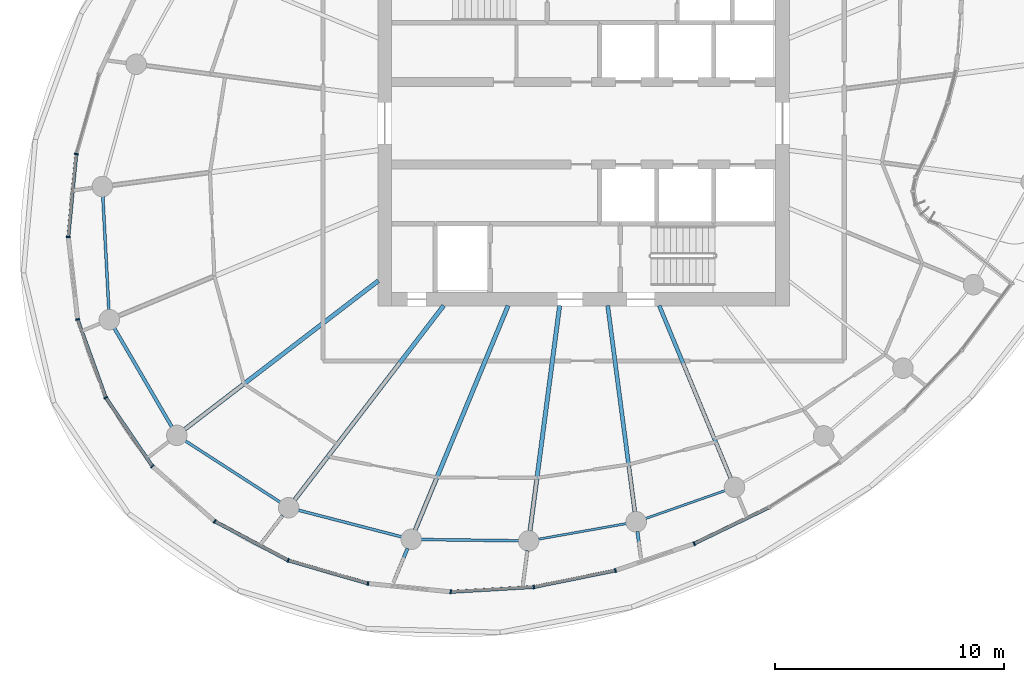
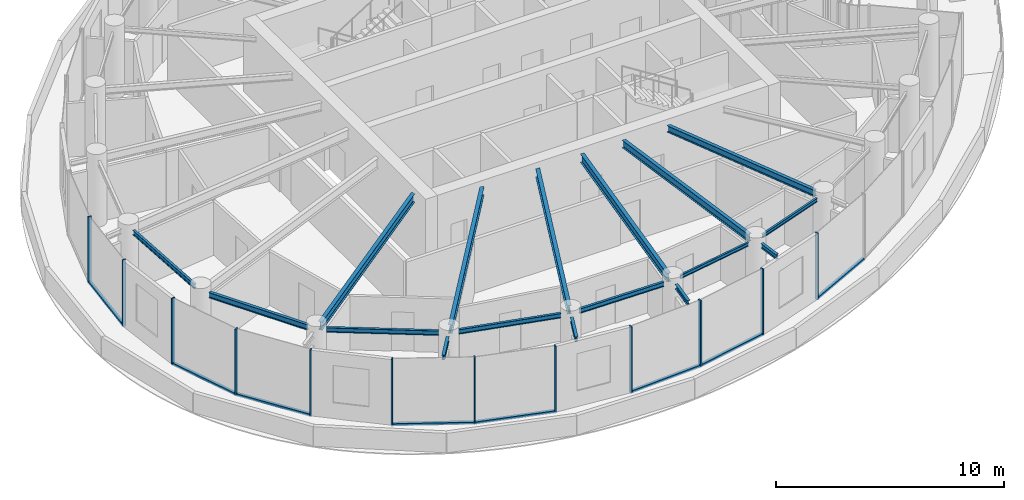
# One storey, part 2 of 19: 20 members, 17 beams, 3 elements without a shape of their own.
"""IFC4 building model written with IfcOpenShell, lengths in metres."""

from ifc_helpers import new_model, si_unit, direction, frame, origin, origin_2d, place, context, subcontext, project, spatial, rectangle, i_section, extrude, source, transform, mapped, material, layer, layer_set, material_profile, profile_set, type_object, element, aggregate, save


model = new_model("IFC4")

# Units and contexts
model_context = context("Model", 3, precision=1e-05, world=origin(), true_north=direction((0.0, 1.0)))
body_context = subcontext(model_context, "Body", "Model", "MODEL_VIEW")
ifc_project = project(units=[si_unit("LENGTHUNIT", "METRE"), si_unit("AREAUNIT", "SQUARE_METRE"), si_unit("VOLUMEUNIT", "CUBIC_METRE"), si_unit("PLANEANGLEUNIT", "RADIAN"), si_unit("MASSUNIT", "GRAM", prefix="KILO")], contexts=[model_context])

# Site, building, storey
site_placement = place(None, origin())
site = spatial("IfcSite", under=ifc_project, at=site_placement, CompositionType="ELEMENT")
building_placement = place(site_placement, origin())
building = spatial("IfcBuilding", under=site, at=building_placement, Name="Spindrift Exchange Tower", CompositionType="ELEMENT")
storey_placement = place(building_placement, frame((0.0, 0.0, 183.800048828125)))
storey = spatial("IfcBuildingStorey", under=building, at=storey_placement, Name="L44", CompositionType="ELEMENT", Elevation=183.800048828125)

# Beams
ifc_material_1 = material(Name="Steel Grade 300", Category="steel")
ifc_material_profile_1 = material_profile(ifc_material_1, i_section(OverallWidth=0.14599609375, OverallDepth=0.251953125, WebThickness=0.006103515625, FlangeThickness=0.008544921875, FilletRadius=0.011962890625, at=origin_2d()), Name="250UB31.4")
ifc_profile_set_1 = profile_set([ifc_material_profile_1], Name="Steel Grade 300")
beam_type_1 = type_object("IfcBeamType", Name="Cantilever Beam 250UB31.4 Steel Grade 300", PredefinedType="BEAM", material=ifc_profile_set_1)
shared_shape_1 = source(origin(), body_context, "Body", "SweptSolid", [
    extrude(i_section(OverallWidth=0.14599609375, OverallDepth=0.251953125, WebThickness=0.006103515625, FlangeThickness=0.008544921875, FilletRadius=0.011962890625, at=origin_2d()), origin(), (0.0, 0.0, 1.0), 1.1201171875),
])
beam_1_placement = place(storey_placement, frame((54.3525390625, 30.131103515625, 3.453857421875), z_axis=(0.130550355306, -0.991441679944, 0.0), x_axis=(0.991441679944, 0.130550355306, 0.0)))
element("IfcBeam", 1, at=beam_1_placement, inside=storey, type_object=beam_type_1, Name="L44 cantilever beam R19T", PredefinedType="BEAM", context=body_context, shape_type="MappedRepresentation", body=[
    mapped(shared_shape_1, transform((0.0, 0.0, 0.0), scale=1.0)),
])
ifc_material_profile_2 = material_profile(ifc_material_1, i_section(OverallWidth=0.18994140625, OverallDepth=0.4541015625, WebThickness=0.008544921875, FlangeThickness=0.0126953125, FilletRadius=0.013916015625, at=origin_2d()), Name="460UB67.1")
ifc_profile_set_2 = profile_set([ifc_material_profile_2], Name="Steel Grade 300")
beam_type_2 = type_object("IfcBeamType", Name="Floor Beam 460UB67.1 Steel Grade 300", PredefinedType="BEAM", material=ifc_profile_set_2)
shared_shape_2 = source(origin(), body_context, "Body", "SweptSolid", [
    extrude(i_section(OverallWidth=0.18994140625, OverallDepth=0.4541015625, WebThickness=0.008544921875, FlangeThickness=0.0126953125, FilletRadius=0.013916015625, at=origin_2d()), origin(), (0.0, 0.0, 1.0), 10.684814453125),
])
beam_2_placement = place(storey_placement, frame((43.015869140625, 41.106201171875, 3.35302734375), z_axis=(-0.793357316898, -0.608756246559, 0.0), x_axis=(0.608756246559, -0.793357316898, 0.0)))
element("IfcBeam", 2, at=beam_2_placement, inside=storey, type_object=beam_type_2, Name="L44 radial beam R15A", PredefinedType="BEAM", context=body_context, shape_type="MappedRepresentation", body=[
    mapped(shared_shape_2, transform((0.0, 0.0, 0.0), scale=1.0)),
])
shared_shape_3 = source(origin(), body_context, "Body", "SweptSolid", [
    extrude(i_section(OverallWidth=0.18994140625, OverallDepth=0.4541015625, WebThickness=0.008544921875, FlangeThickness=0.0126953125, FilletRadius=0.013916015625, at=origin_2d()), origin(), (0.0, 0.0, 1.0), 10.711181640625),
])
beam_3_placement = place(storey_placement, frame((45.87353515625, 40.015869140625, 3.35302734375), z_axis=(-0.608756401092, -0.793357198322, 0.0), x_axis=(0.793357198322, -0.608756401092, 0.0)))
element("IfcBeam", 3, at=beam_3_placement, inside=storey, type_object=beam_type_2, Name="L44 radial beam R16A", PredefinedType="BEAM", context=body_context, shape_type="MappedRepresentation", body=[
    mapped(shared_shape_3, transform((0.0, 0.0, 0.0), scale=1.0)),
])
shared_shape_4 = source(origin(), body_context, "Body", "SweptSolid", [
    extrude(i_section(OverallWidth=0.18994140625, OverallDepth=0.4541015625, WebThickness=0.008544921875, FlangeThickness=0.0126953125, FilletRadius=0.013916015625, at=origin_2d()), origin(), (0.0, 0.0, 1.0), 10.64111328125),
])
beam_4_placement = place(storey_placement, frame((48.69384765625, 40.0185546875, 3.35302734375), z_axis=(-0.382672627597, -0.923884007919, 0.0), x_axis=(0.923884007919, -0.382672627597, 0.0)))
element("IfcBeam", 4, at=beam_4_placement, inside=storey, type_object=beam_type_2, Name="L44 radial beam R17A", PredefinedType="BEAM", context=body_context, shape_type="MappedRepresentation", body=[
    mapped(shared_shape_4, transform((0.0, 0.0, 0.0), scale=1.0)),
])
shared_shape_5 = source(origin(), body_context, "Body", "SweptSolid", [
    extrude(i_section(OverallWidth=0.18994140625, OverallDepth=0.4541015625, WebThickness=0.008544921875, FlangeThickness=0.0126953125, FilletRadius=0.013916015625, at=origin_2d()), origin(), (0.0, 0.0, 1.0), 9.95703125),
])
beam_5_placement = place(storey_placement, frame((50.949462890625, 40.019775390625, 3.35302734375), z_axis=(-0.130541406635, -0.991442858239, 0.0), x_axis=(0.991442858239, -0.130541406635, 0.0)))
element("IfcBeam", 5, at=beam_5_placement, inside=storey, type_object=beam_type_2, Name="L44 radial beam R18A", PredefinedType="BEAM", context=body_context, shape_type="MappedRepresentation", body=[
    mapped(shared_shape_5, transform((0.0, 0.0, 0.0), scale=1.0)),
])
shared_shape_6 = source(origin(), body_context, "Body", "SweptSolid", [
    extrude(i_section(OverallWidth=0.14599609375, OverallDepth=0.251953125, WebThickness=0.006103515625, FlangeThickness=0.008544921875, FilletRadius=0.011962890625, at=origin_2d()), origin(), (0.0, 0.0, 1.0), 1.394287109375),
])
beam_6_placement = place(storey_placement, frame((49.53759765625, 29.29541015625, 3.453857421875), z_axis=(-0.130626633366, -0.99143163287, 0.0), x_axis=(0.99143163287, -0.130626633366, 0.0)))
element("IfcBeam", 6, at=beam_6_placement, inside=storey, type_object=beam_type_1, Name="L44 cantilever beam R18T", PredefinedType="BEAM", context=body_context, shape_type="MappedRepresentation", body=[
    mapped(shared_shape_6, transform((0.0, 0.0, 0.0), scale=1.0)),
])
ifc_material_profile_3 = material_profile(ifc_material_1, i_section(OverallWidth=0.177978515625, OverallDepth=0.403076171875, WebThickness=0.007568359375, FlangeThickness=0.010986328125, FilletRadius=0.013916015625, at=origin_2d()), Name="410UB53.7")
ifc_profile_set_3 = profile_set([ifc_material_profile_3], Name="Steel Grade 300")
beam_type_3 = type_object("IfcBeamType", Name="Floor Beam 410UB53.7 Steel Grade 300", PredefinedType="BEAM", material=ifc_profile_set_3)
shared_shape_7 = source(origin(), body_context, "Body", "SweptSolid", [
    extrude(i_section(OverallWidth=0.177978515625, OverallDepth=0.403076171875, WebThickness=0.007568359375, FlangeThickness=0.010986328125, FilletRadius=0.013916015625, at=origin_2d()), origin(), (0.0, 0.0, 1.0), 9.11376953125),
])
beam_7_placement = place(storey_placement, frame((53.050537109375, 40.019775390625, 3.37841796875), z_axis=(0.130536972606, -0.991443442049, 0.0), x_axis=(0.991443442049, 0.130536972606, 0.0)))
element("IfcBeam", 7, at=beam_7_placement, inside=storey, type_object=beam_type_3, Name="L44 radial beam R19A", PredefinedType="BEAM", context=body_context, shape_type="MappedRepresentation", body=[
    mapped(shared_shape_7, transform((0.0, 0.0, 0.0), scale=1.0)),
])
ifc_material_profile_4 = material_profile(ifc_material_1, i_section(OverallWidth=0.1708984375, OverallDepth=0.35205078125, WebThickness=0.0068359375, FlangeThickness=0.009765625, FilletRadius=0.013916015625, at=origin_2d()), Name="360UB44.7")
ifc_profile_set_4 = profile_set([ifc_material_profile_4], Name="Steel Grade 300")
beam_type_4 = type_object("IfcBeamType", Name="Floor Beam 360UB44.7 Steel Grade 300", PredefinedType="BEAM", material=ifc_profile_set_4)
shared_shape_8 = source(origin(), body_context, "Body", "SweptSolid", [
    extrude(i_section(OverallWidth=0.1708984375, OverallDepth=0.35205078125, WebThickness=0.0068359375, FlangeThickness=0.009765625, FilletRadius=0.013916015625, at=origin_2d()), origin(), (0.0, 0.0, 1.0), 8.1748046875),
])
beam_8_placement = place(storey_placement, frame((55.30615234375, 40.0185546875, 3.404052734375), z_axis=(0.382655117626, -0.923891260352, 0.0), x_axis=(0.923891260352, 0.382655117626, 0.0)))
element("IfcBeam", 8, at=beam_8_placement, inside=storey, type_object=beam_type_4, Name="L44 radial beam R20A", PredefinedType="BEAM", context=body_context, shape_type="MappedRepresentation", body=[
    mapped(shared_shape_8, transform((0.0, 0.0, 0.0), scale=1.0)),
])
shared_shape_9 = source(origin(), body_context, "Body", "SweptSolid", [
    extrude(i_section(OverallWidth=0.14599609375, OverallDepth=0.251953125, WebThickness=0.006103515625, FlangeThickness=0.008544921875, FilletRadius=0.011962890625, at=origin_2d()), origin(), (0.0, 0.0, 1.0), 1.475830078125),
])
beam_9_placement = place(storey_placement, frame((38.829345703125, 30.835693359375, 3.453857421875), z_axis=(-0.608750992772, -0.793361348188, 0.0), x_axis=(0.793361348188, -0.608750992772, 0.0)))
element("IfcBeam", 9, at=beam_9_placement, inside=storey, type_object=beam_type_1, Name="L44 cantilever beam R16T", PredefinedType="BEAM", context=body_context, shape_type="MappedRepresentation", body=[
    mapped(shared_shape_9, transform((0.0, 0.0, 0.0), scale=1.0)),
])
shared_shape_10 = source(origin(), body_context, "Body", "SweptSolid", [
    extrude(i_section(OverallWidth=0.14599609375, OverallDepth=0.251953125, WebThickness=0.006103515625, FlangeThickness=0.008544921875, FilletRadius=0.011962890625, at=origin_2d()), origin(), (0.0, 0.0, 1.0), 1.564697265625),
])
beam_10_placement = place(storey_placement, frame((44.292724609375, 29.39306640625, 3.453857421875), z_axis=(-0.38260904519, -0.92391034118, 0.0), x_axis=(0.92391034118, -0.38260904519, 0.0)))
element("IfcBeam", 10, at=beam_10_placement, inside=storey, type_object=beam_type_1, Name="L44 cantilever beam R17T", PredefinedType="BEAM", context=body_context, shape_type="MappedRepresentation", body=[
    mapped(shared_shape_10, transform((0.0, 0.0, 0.0), scale=1.0)),
])
ifc_material_profile_5 = material_profile(ifc_material_1, i_section(OverallWidth=0.1240234375, OverallDepth=0.248046875, WebThickness=0.0048828125, FlangeThickness=0.008056640625, FilletRadius=0.011962890625, at=origin_2d()), Name="250UB25.7")
ifc_profile_set_5 = profile_set([ifc_material_profile_5], Name="Steel Grade 300")
beam_type_5 = type_object("IfcBeamType", Name="Edge Beam 250UB25.7 Steel Grade 300", PredefinedType="SPANDREL", material=ifc_profile_set_5)
shared_shape_11 = source(origin(), body_context, "Body", "SweptSolid", [
    extrude(i_section(OverallWidth=0.1240234375, OverallDepth=0.248046875, WebThickness=0.0048828125, FlangeThickness=0.008056640625, FilletRadius=0.011962890625, at=origin_2d()), origin(), (0.0, 0.0, 1.0), 4.971435546875),
])
beam_11_placement = place(storey_placement, frame((30.96044921875, 44.797607421875, 3.4560546875), z_axis=(0.053038255124, -0.998592481192, 0.0), x_axis=(0.998592481192, 0.053038255124, 0.0)))
element("IfcBeam", 11, at=beam_11_placement, inside=storey, type_object=beam_type_5, Name="L44 edge beam E13", PredefinedType="SPANDREL", context=body_context, shape_type="MappedRepresentation", body=[
    mapped(shared_shape_11, transform((0.0, 0.0, 0.0), scale=1.0)),
])
ifc_material_profile_6 = material_profile(ifc_material_1, i_section(OverallWidth=0.14892578125, OverallDepth=0.298095703125, WebThickness=0.005615234375, FlangeThickness=0.008056640625, FilletRadius=0.012939453125, at=origin_2d()), Name="310UB32.0")
ifc_profile_set_6 = profile_set([ifc_material_profile_6], Name="Steel Grade 300")
beam_type_6 = type_object("IfcBeamType", Name="Edge Beam 310UB32.0 Steel Grade 300", PredefinedType="SPANDREL", material=ifc_profile_set_6)
shared_shape_12 = source(origin(), body_context, "Body", "SweptSolid", [
    extrude(i_section(OverallWidth=0.14892578125, OverallDepth=0.298095703125, WebThickness=0.005615234375, FlangeThickness=0.008056640625, FilletRadius=0.012939453125, at=origin_2d()), origin(), (0.0, 0.0, 1.0), 5.0009765625),
])
beam_12_placement = place(storey_placement, frame((31.46337890625, 39.0322265625, 3.430908203125), z_axis=(0.503512812094, -0.863987759205, 0.0), x_axis=(0.863987759205, 0.503512812094, 0.0)))
element("IfcBeam", 12, at=beam_12_placement, inside=storey, type_object=beam_type_6, Name="L44 edge beam E14", PredefinedType="SPANDREL", context=body_context, shape_type="MappedRepresentation", body=[
    mapped(shared_shape_12, transform((0.0, 0.0, 0.0), scale=1.0)),
])
shared_shape_13 = source(origin(), body_context, "Body", "SweptSolid", [
    extrude(i_section(OverallWidth=0.1240234375, OverallDepth=0.248046875, WebThickness=0.0048828125, FlangeThickness=0.008056640625, FilletRadius=0.011962890625, at=origin_2d()), origin(), (0.0, 0.0, 1.0), 4.966552734375),
])
beam_13_placement = place(storey_placement, frame((34.55908203125, 34.106689453125, 3.4560546875), z_axis=(0.839802198579, -0.54289250065, 0.0), x_axis=(0.54289250065, 0.839802198579, 0.0)))
element("IfcBeam", 13, at=beam_13_placement, inside=storey, type_object=beam_type_5, Name="L44 edge beam E15", PredefinedType="SPANDREL", context=body_context, shape_type="MappedRepresentation", body=[
    mapped(shared_shape_13, transform((0.0, 0.0, 0.0), scale=1.0)),
])
shared_shape_14 = source(origin(), body_context, "Body", "SweptSolid", [
    extrude(i_section(OverallWidth=0.1240234375, OverallDepth=0.248046875, WebThickness=0.0048828125, FlangeThickness=0.008056640625, FilletRadius=0.011962890625, at=origin_2d()), origin(), (0.0, 0.0, 1.0), 4.682373046875),
])
beam_14_placement = place(storey_placement, frame((39.507568359375, 31.0693359375, 3.4560546875), z_axis=(0.968201586176, -0.250171318352, 0.0), x_axis=(0.250171318352, 0.968201586176, 0.0)))
element("IfcBeam", 14, at=beam_14_placement, inside=storey, type_object=beam_type_5, Name="L44 edge beam E16", PredefinedType="SPANDREL", context=body_context, shape_type="MappedRepresentation", body=[
    mapped(shared_shape_14, transform((0.0, 0.0, 0.0), scale=1.0)),
])
shared_shape_15 = source(origin(), body_context, "Body", "SweptSolid", [
    extrude(i_section(OverallWidth=0.1240234375, OverallDepth=0.248046875, WebThickness=0.0048828125, FlangeThickness=0.008056640625, FilletRadius=0.011962890625, at=origin_2d()), origin(), (0.0, 0.0, 1.0), 4.27685546875),
])
beam_15_placement = place(storey_placement, frame((44.88720703125, 29.78466796875, 3.4560546875), z_axis=(0.999910013527, -0.013415097807, 0.0), x_axis=(0.013415097807, 0.999910013527, 0.0)))
element("IfcBeam", 15, at=beam_15_placement, inside=storey, type_object=beam_type_5, Name="L44 edge beam E17", PredefinedType="SPANDREL", context=body_context, shape_type="MappedRepresentation", body=[
    mapped(shared_shape_15, transform((0.0, 0.0, 0.0), scale=1.0)),
])
ifc_material_profile_7 = material_profile(ifc_material_1, i_section(OverallWidth=0.09912109375, OverallDepth=0.197998046875, WebThickness=0.00439453125, FlangeThickness=0.007080078125, FilletRadius=0.010986328125, at=origin_2d()), Name="200UB18.2")
ifc_profile_set_7 = profile_set([ifc_material_profile_7], Name="Steel Grade 300")
beam_type_7 = type_object("IfcBeamType", Name="Edge Beam 200UB18.2 Steel Grade 300", PredefinedType="SPANDREL", material=ifc_profile_set_7)
shared_shape_16 = source(origin(), body_context, "Body", "SweptSolid", [
    extrude(i_section(OverallWidth=0.09912109375, OverallDepth=0.197998046875, WebThickness=0.00439453125, FlangeThickness=0.007080078125, FilletRadius=0.010986328125, at=origin_2d()), origin(), (0.0, 0.0, 1.0), 3.916259765625),
])
beam_16_placement = place(storey_placement, frame((50.01708984375, 29.796875, 3.48095703125), z_axis=(0.984558687682, 0.175054821441, 0.0), x_axis=(-0.175054821441, 0.984558687682, 0.0)))
element("IfcBeam", 16, at=beam_16_placement, inside=storey, type_object=beam_type_7, Name="L44 edge beam E18", PredefinedType="SPANDREL", context=body_context, shape_type="MappedRepresentation", body=[
    mapped(shared_shape_16, transform((0.0, 0.0, 0.0), scale=1.0)),
])
shared_shape_17 = source(origin(), body_context, "Body", "SweptSolid", [
    extrude(i_section(OverallWidth=0.09912109375, OverallDepth=0.197998046875, WebThickness=0.00439453125, FlangeThickness=0.007080078125, FilletRadius=0.010986328125, at=origin_2d()), origin(), (0.0, 0.0, 1.0), 3.700439453125),
])
beam_17_placement = place(storey_placement, frame((54.701904296875, 30.699951171875, 3.48095703125), z_axis=(0.943515334916, 0.331328858957, 0.0), x_axis=(-0.331328858957, 0.943515334916, 0.0)))
element("IfcBeam", 17, at=beam_17_placement, inside=storey, type_object=beam_type_7, Name="L44 edge beam E19", PredefinedType="SPANDREL", context=body_context, shape_type="MappedRepresentation", body=[
    mapped(shared_shape_17, transform((0.0, 0.0, 0.0), scale=1.0)),
])

# Curtain wall, members
ifc_material_2 = material(Name="Fritted laminated glass with bronze frame", Category="glass")
ifc_layer = layer(ifc_material_2, 0.169921875)
ifc_layer_set = layer_set([ifc_layer], Name="ZONE 4 BRONZE FRITTED WALL")
curtain_wall_type = type_object("IfcCurtainWallType", Name="ZONE 4 BRONZE FRITTED WALL", PredefinedType="NOTDEFINED", material=ifc_layer_set)
curtain_wall_1_placement = place(storey_placement, origin())
curtain_wall_1 = element("IfcCurtainWall", 18, at=curtain_wall_1_placement, inside=storey, type_object=curtain_wall_type, Name="L44 Zone 4 Bronze Fritted Wall run 2", PredefinedType="NOTDEFINED")
ifc_material_3 = material(Name="Bronze anodised aluminium", Category="aluminium")
ifc_material_profile_8 = material_profile(ifc_material_3, rectangle(XDim=0.06494140625, YDim=0.169921875, at=origin_2d()), Name="ZONE 4 BRONZE FRITTED WALL MULLION 65X170")
ifc_profile_set_8 = profile_set([ifc_material_profile_8], Name="Bronze anodised aluminium")
member_type_1 = type_object("IfcMemberType", Name="ZONE 4 BRONZE FRITTED WALL MULLION 65X170", PredefinedType="MULLION", material=ifc_profile_set_8)
shared_shape_18 = source(origin(), body_context, "Body", "SweptSolid", [
    extrude(rectangle(XDim=0.06494140625, YDim=0.169921875, at=origin_2d()), origin(), (0.0, 0.0, 1.0), 3.579833984375),
])
member_1_placement = place(storey_placement, frame((29.798828125, 46.652587890625, 0.0), z_axis=(0.0, 0.0, 1.0), x_axis=(-0.185447734945, -0.982654129185, 0.0)))
member_1 = element("IfcMember", 19, at=member_1_placement, type_object=member_type_1, Name="L44 mullion CW-4.10", PredefinedType="MULLION", context=body_context, shape_type="MappedRepresentation", body=[
    mapped(shared_shape_18, transform((0.0, 0.0, 0.0), scale=1.0)),
])
member_2_placement = place(storey_placement, frame((29.4501953125, 43.0302734375, 0.0), z_axis=(0.0, 0.0, 1.0), x_axis=(0.007899357172, -0.999968799591, 0.0)))
member_2 = element("IfcMember", 20, at=member_2_placement, type_object=member_type_1, Name="L44 mullion CW-4.11", PredefinedType="MULLION", context=body_context, shape_type="MappedRepresentation", body=[
    mapped(shared_shape_18, transform((0.0, 0.0, 0.0), scale=1.0)),
])
member_3_placement = place(storey_placement, frame((29.855712890625, 39.41552734375, 0.0), z_axis=(0.0, 0.0, 1.0), x_axis=(0.226729510192, -0.973957765618, 0.0)))
member_3 = element("IfcMember", 21, at=member_3_placement, type_object=member_type_1, Name="L44 mullion CW-4.12", PredefinedType="MULLION", context=body_context, shape_type="MappedRepresentation", body=[
    mapped(shared_shape_18, transform((0.0, 0.0, 0.0), scale=1.0)),
])

curtain_wall_2_placement = place(storey_placement, origin())
curtain_wall_2 = element("IfcCurtainWall", 22, at=curtain_wall_2_placement, inside=storey, type_object=curtain_wall_type, Name="L44 Zone 4 Bronze Fritted Wall run 3", PredefinedType="NOTDEFINED")
member_4_placement = place(storey_placement, frame((31.087646484375, 35.994873046875, 0.0), z_axis=(0.0, 0.0, 1.0), x_axis=(0.453889160517, -0.891058151843, 0.0)))
member_4 = element("IfcMember", 23, at=member_4_placement, type_object=member_type_1, Name="L44 mullion CW-4.13", PredefinedType="MULLION", context=body_context, shape_type="MappedRepresentation", body=[
    mapped(shared_shape_18, transform((0.0, 0.0, 0.0), scale=1.0)),
])
member_5_placement = place(storey_placement, frame((33.1298828125, 32.98779296875, 0.0), z_axis=(0.0, 0.0, 1.0), x_axis=(0.660915754459, -0.750460102542, 0.0)))
member_5 = element("IfcMember", 24, at=member_5_placement, type_object=member_type_1, Name="L44 mullion CW-4.14", PredefinedType="MULLION", context=body_context, shape_type="MappedRepresentation", body=[
    mapped(shared_shape_18, transform((0.0, 0.0, 0.0), scale=1.0)),
])
member_6_placement = place(storey_placement, frame((35.85546875, 30.581298828125, 0.0), z_axis=(0.0, 0.0, 1.0), x_axis=(0.821731834994, -0.569874364538, 0.0)))
member_6 = element("IfcMember", 25, at=member_6_placement, type_object=member_type_1, Name="L44 mullion CW-4.15", PredefinedType="MULLION", context=body_context, shape_type="MappedRepresentation", body=[
    mapped(shared_shape_18, transform((0.0, 0.0, 0.0), scale=1.0)),
])
member_7_placement = place(storey_placement, frame((39.06591796875, 28.871337890625, 0.0), z_axis=(0.0, 0.0, 1.0), x_axis=(0.926597317681, -0.376055063608, 0.0)))
member_7 = element("IfcMember", 26, at=member_7_placement, type_object=member_type_1, Name="L44 mullion CW-4.16", PredefinedType="MULLION", context=body_context, shape_type="MappedRepresentation", body=[
    mapped(shared_shape_18, transform((0.0, 0.0, 0.0), scale=1.0)),
])
member_8_placement = place(storey_placement, frame((42.5615234375, 27.85986328125, 0.0), z_axis=(0.0, 0.0, 1.0), x_axis=(0.98179843319, -0.189925871289, 0.0)))
member_8 = element("IfcMember", 27, at=member_8_placement, type_object=member_type_1, Name="L44 mullion CW-4.17", PredefinedType="MULLION", context=body_context, shape_type="MappedRepresentation", body=[
    mapped(shared_shape_18, transform((0.0, 0.0, 0.0), scale=1.0)),
])
member_9_placement = place(storey_placement, frame((46.183837890625, 27.494384765625, 0.0), z_axis=(0.0, 0.0, 1.0), x_axis=(0.999775308957, -0.021197443248, 0.0)))
member_9 = element("IfcMember", 28, at=member_9_placement, type_object=member_type_1, Name="L44 mullion CW-4.18", PredefinedType="MULLION", context=body_context, shape_type="MappedRepresentation", body=[
    mapped(shared_shape_18, transform((0.0, 0.0, 0.0), scale=1.0)),
])

curtain_wall_3_placement = place(storey_placement, origin())
curtain_wall_3 = element("IfcCurtainWall", 29, at=curtain_wall_3_placement, inside=storey, type_object=curtain_wall_type, Name="L44 Zone 4 Bronze Fritted Wall run 4", PredefinedType="NOTDEFINED")
member_10_placement = place(storey_placement, frame((49.819091796875, 27.7060546875, 0.0), z_axis=(0.0, 0.0, 1.0), x_axis=(0.991710346442, 0.12849353587, 0.0)))
member_10 = element("IfcMember", 30, at=member_10_placement, type_object=member_type_1, Name="L44 mullion CW-4.19", PredefinedType="MULLION", context=body_context, shape_type="MappedRepresentation", body=[
    mapped(shared_shape_18, transform((0.0, 0.0, 0.0), scale=1.0)),
])
member_11_placement = place(storey_placement, frame((53.388916015625, 28.427978515625, 0.0), z_axis=(0.0, 0.0, 1.0), x_axis=(0.965295452865, 0.261160273929, 0.0)))
member_11 = element("IfcMember", 31, at=member_11_placement, type_object=member_type_1, Name="L44 mullion CW-4.20", PredefinedType="MULLION", context=body_context, shape_type="MappedRepresentation", body=[
    mapped(shared_shape_18, transform((0.0, 0.0, 0.0), scale=1.0)),
])
member_12_placement = place(storey_placement, frame((56.836181640625, 29.6044921875, 0.0), z_axis=(0.0, 0.0, 1.0), x_axis=(0.925065726554, 0.379807058327, 0.0)))
member_12 = element("IfcMember", 32, at=member_12_placement, type_object=member_type_1, Name="L44 mullion CW-4.21", PredefinedType="MULLION", context=body_context, shape_type="MappedRepresentation", body=[
    mapped(shared_shape_18, transform((0.0, 0.0, 0.0), scale=1.0)),
])
ifc_material_profile_9 = material_profile(ifc_material_3, rectangle(XDim=0.14990234375, YDim=0.125, at=origin_2d()), Name="ZONE 4 BRONZE FRITTED WALL TRANSOM 150X125")
ifc_profile_set_9 = profile_set([ifc_material_profile_9], Name="Bronze anodised aluminium")
member_type_2 = type_object("IfcMemberType", Name="ZONE 4 BRONZE FRITTED WALL TRANSOM 150X125", PredefinedType="USERDEFINED", material=ifc_profile_set_9)
shared_shape_19 = source(origin(), body_context, "Body", "SweptSolid", [
    extrude(rectangle(XDim=0.14990234375, YDim=0.125, at=origin_2d()), origin(), (0.0, 0.0, 1.0), 3.577880859375),
])
member_13_placement = place(storey_placement, frame((56.865478515625, 29.61865234375, 0.0625), z_axis=(0.900324889353, 0.435218443557, 0.0), x_axis=(-0.435218443557, 0.900324889353, 0.0)))
member_13 = element("IfcMember", 33, at=member_13_placement, type_object=member_type_2, Name="L44 transom CW-4.21", ObjectType="TRANSOM", PredefinedType="USERDEFINED", context=body_context, shape_type="MappedRepresentation", body=[
    mapped(shared_shape_19, transform((0.0, 0.0, 0.0), scale=1.0)),
])
shared_shape_20 = source(origin(), body_context, "Body", "SweptSolid", [
    extrude(rectangle(XDim=0.14990234375, YDim=0.125, at=origin_2d()), origin(), (0.0, 0.0, 1.0), 3.5771484375),
])
member_14_placement = place(storey_placement, frame((49.85107421875, 27.71240234375, 0.0625), z_axis=(0.980147808937, 0.19826818362, 0.0), x_axis=(-0.19826818362, 0.980147808937, 0.0)))
member_14 = element("IfcMember", 34, at=member_14_placement, type_object=member_type_2, Name="L44 transom CW-4.19", ObjectType="TRANSOM", PredefinedType="USERDEFINED", context=body_context, shape_type="MappedRepresentation", body=[
    mapped(shared_shape_20, transform((0.0, 0.0, 0.0), scale=1.0)),
])
aggregate(curtain_wall_3, [member_10, member_14, member_11, member_12, member_13])

# Member
shared_shape_21 = source(origin(), body_context, "Body", "SweptSolid", [
    extrude(rectangle(XDim=0.14990234375, YDim=0.125, at=origin_2d()), origin(), (0.0, 0.0, 1.0), 3.573974609375),
])
member_15_placement = place(storey_placement, frame((29.795654296875, 46.620361328125, 0.0625), z_axis=(-0.095837359328, -0.995397006504, 0.0), x_axis=(0.995397006504, -0.095837359328, 0.0)))
member_15 = element("IfcMember", 35, at=member_15_placement, type_object=member_type_2, Name="L44 transom CW-4.10", ObjectType="TRANSOM", PredefinedType="USERDEFINED", context=body_context, shape_type="MappedRepresentation", body=[
    mapped(shared_shape_21, transform((0.0, 0.0, 0.0), scale=1.0)),
])

member_16_placement = place(storey_placement, frame((39.09716796875, 28.8623046875, 0.0625), z_axis=(0.960593067845, -0.277958554478, 0.0), x_axis=(0.277958554478, 0.960593067845, 0.0)))
member_16 = element("IfcMember", 36, at=member_16_placement, type_object=member_type_2, Name="L44 transom CW-4.16", ObjectType="TRANSOM", PredefinedType="USERDEFINED", context=body_context, shape_type="MappedRepresentation", body=[
    mapped(shared_shape_21, transform((0.0, 0.0, 0.0), scale=1.0)),
])

shared_shape_22 = source(origin(), body_context, "Body", "SweptSolid", [
    extrude(rectangle(XDim=0.14990234375, YDim=0.125, at=origin_2d()), origin(), (0.0, 0.0, 1.0), 3.57080078125),
])
member_17_placement = place(storey_placement, frame((29.86669921875, 39.385009765625, 0.0625), z_axis=(0.338842938534, -0.940842953423, 0.0), x_axis=(0.940842953423, 0.338842938534, 0.0)))
member_17 = element("IfcMember", 37, at=member_17_placement, type_object=member_type_2, Name="L44 transom CW-4.12", ObjectType="TRANSOM", PredefinedType="USERDEFINED", context=body_context, shape_type="MappedRepresentation", body=[
    mapped(shared_shape_22, transform((0.0, 0.0, 0.0), scale=1.0)),
])

aggregate(curtain_wall_1, [member_1, member_15, member_2, member_3, member_17])

shared_shape_23 = source(origin(), body_context, "Body", "SweptSolid", [
    extrude(rectangle(XDim=0.14990234375, YDim=0.125, at=origin_2d()), origin(), (0.0, 0.0, 1.0), 3.570068359375),
])
member_18_placement = place(storey_placement, frame((31.10595703125, 35.968017578125, 0.0625), z_axis=(0.561797386669, -0.827274861417, 0.0), x_axis=(0.827274861417, 0.561797386669, 0.0)))
member_18 = element("IfcMember", 38, at=member_18_placement, type_object=member_type_2, Name="L44 transom CW-4.13", ObjectType="TRANSOM", PredefinedType="USERDEFINED", context=body_context, shape_type="MappedRepresentation", body=[
    mapped(shared_shape_23, transform((0.0, 0.0, 0.0), scale=1.0)),
])

shared_shape_24 = source(origin(), body_context, "Body", "SweptSolid", [
    extrude(rectangle(XDim=0.14990234375, YDim=0.125, at=origin_2d()), origin(), (0.0, 0.0, 1.0), 3.572509765625),
])
member_19_placement = place(storey_placement, frame((35.884033203125, 30.56591796875, 0.0625), z_axis=(0.882608198636, -0.470109314628, 0.0), x_axis=(0.470109314628, 0.882608198636, 0.0)))
member_19 = element("IfcMember", 39, at=member_19_placement, type_object=member_type_2, Name="L44 transom CW-4.15", ObjectType="TRANSOM", PredefinedType="USERDEFINED", context=body_context, shape_type="MappedRepresentation", body=[
    mapped(shared_shape_24, transform((0.0, 0.0, 0.0), scale=1.0)),
])

shared_shape_25 = source(origin(), body_context, "Body", "SweptSolid", [
    extrude(rectangle(XDim=0.14990234375, YDim=0.125, at=origin_2d()), origin(), (0.0, 0.0, 1.0), 3.57666015625),
])
member_20_placement = place(storey_placement, frame((46.21630859375, 27.496337890625, 0.0625), z_axis=(0.998311363231, 0.058089775734, 0.0), x_axis=(-0.058089775734, 0.998311363231, 0.0)))
member_20 = element("IfcMember", 40, at=member_20_placement, type_object=member_type_2, Name="L44 transom CW-4.18", ObjectType="TRANSOM", PredefinedType="USERDEFINED", context=body_context, shape_type="MappedRepresentation", body=[
    mapped(shared_shape_25, transform((0.0, 0.0, 0.0), scale=1.0)),
])

aggregate(curtain_wall_2, [member_4, member_18, member_5, member_6, member_19, member_7, member_16, member_8, member_9, member_20])

save(model, "model.ifc")
